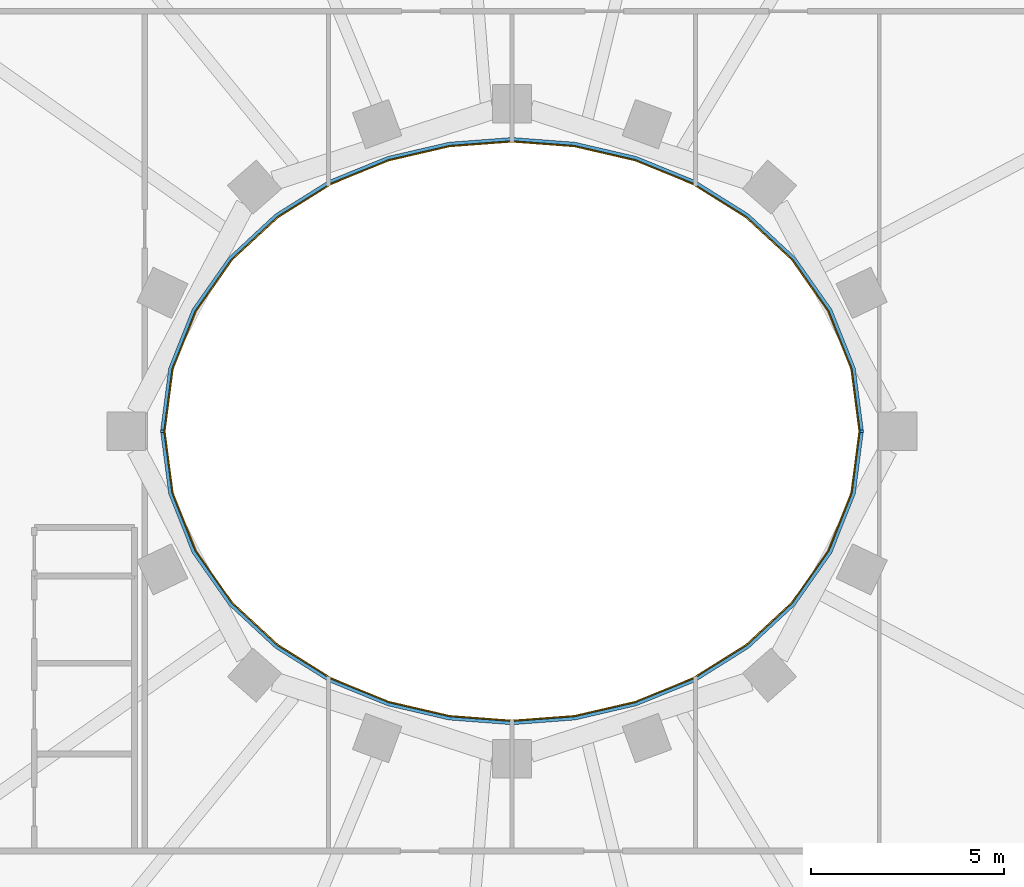
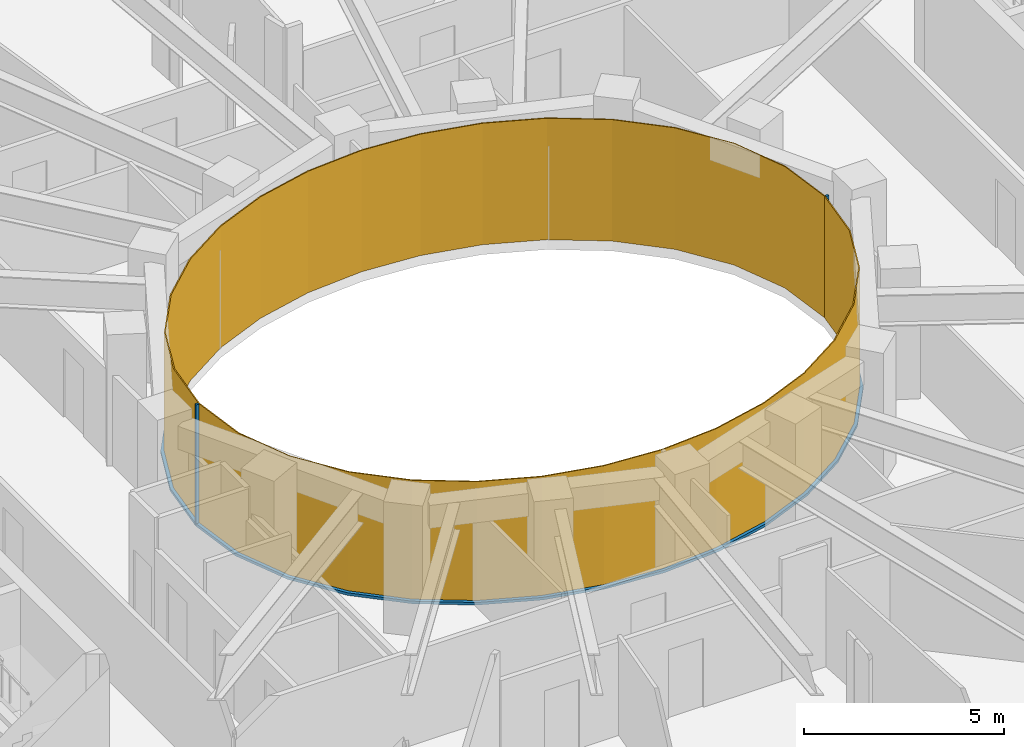
# One storey, part 10 of 15: 4 members, 2 curtain walls.
"""IFC4 building model written with IfcOpenShell, lengths in metres."""

from ifc_helpers import new_model, si_unit, direction, frame, origin, origin_2d, place, context, subcontext, project, spatial, polyline, rectangle, outline, extrude, material, layer, layer_set, material_profile, profile_set, type_object, element, aggregate, save


model = new_model("IFC4")

# Units and contexts
model_context = context("Model", 3, precision=1e-05, world=origin(), true_north=direction((0.0, 1.0)))
body_context = subcontext(model_context, "Body", "Model", "MODEL_VIEW")
ifc_project = project(units=[si_unit("LENGTHUNIT", "METRE"), si_unit("AREAUNIT", "SQUARE_METRE"), si_unit("VOLUMEUNIT", "CUBIC_METRE"), si_unit("PLANEANGLEUNIT", "RADIAN"), si_unit("MASSUNIT", "GRAM", prefix="KILO")], contexts=[model_context])

# Member
ifc_material_1 = material(Name="Steel S355 fire-resisting frame", Category="steel")
ifc_material_profile = material_profile(ifc_material_1, rectangle(XDim=0.090087890625, YDim=0.06005859375, at=origin_2d()), Name="90x60")
ifc_profile_set = profile_set([ifc_material_profile], Name="Steel S355 fire-resisting frame")
member_type_1 = type_object("IfcMemberType", Name="ENV-MULLION-W-90", PredefinedType="MULLION", material=ifc_profile_set)
site_placement = place(None, origin())
building_placement = place(site_placement, origin())
storey_placement = place(building_placement, frame((0.0, 0.0, 241.5)))
member_1_placement = place(storey_placement, frame((9.076904296875, 0.0, 0.0), z_axis=(0.0, 0.0, 1.0), x_axis=(1.0, 0.0, 0.0)))
member_1 = element("IfcMember", 1, at=member_1_placement, type_object=member_type_1, Name="Mullion W well vertex 01", PredefinedType="MULLION", context=body_context, shape_type="SweptSolid", body=[
    extrude(rectangle(XDim=0.090087890625, YDim=0.06005859375, at=origin_2d()), origin(), (0.0, 0.0, 1.0), 3.699951171875),
])

member_2_placement = place(storey_placement, frame((-9.076904296875, 0.0, 0.0), z_axis=(0.0, 0.0, 1.0), x_axis=(-1.0, 0.0, 0.0)))
member_2 = element("IfcMember", 2, at=member_2_placement, type_object=member_type_1, Name="Mullion W well vertex 17", PredefinedType="MULLION", context=body_context, shape_type="SweptSolid", body=[
    extrude(rectangle(XDim=0.090087890625, YDim=0.06005859375, at=origin_2d()), origin(), (0.0, 0.0, 1.0), 3.699951171875),
])

ifc_material_2 = material(Name="Steel S355 fire-resisting frame", Category="steel")
member_type_2 = type_object("IfcMemberType", Name="ENV-TRANSOM-W", PredefinedType="USERDEFINED", material=ifc_material_2)
member_3_placement = place(storey_placement, origin())
member_3 = element("IfcMember", 3, at=member_3_placement, type_object=member_type_2, Name="Transom W well 01-17", ObjectType="TRANSOM", PredefinedType="USERDEFINED", context=body_context, shape_type="SweptSolid", body=[
    extrude(outline(polyline([(9.119384765625, 0.02783203125), (8.910400390625, 1.63623046875), (8.29833984375, 3.167236328125), (7.35107421875, 4.5146484375), (6.1455078125, 5.6337890625), (4.75341796875, 6.50634765625), (3.233642578125, 7.127685546875), (1.635498046875, 7.498779296875), (0.0, 7.622314453125), (-1.635498046875, 7.498779296875), (-3.233642578125, 7.127685546875), (-4.75341796875, 6.50634765625), (-6.1455078125, 5.6337890625), (-7.35107421875, 4.5146484375), (-8.29833984375, 3.167236328125), (-8.910400390625, 1.63623046875), (-9.119384765625, 0.02783203125), (-9.02880859375, 0.02783203125), (-8.822509765625, 1.61328125), (-8.21875, 3.124267578125), (-7.282958984375, 4.455078125), (-6.090576171875, 5.56201171875), (-4.712158203125, 6.426025390625), (-3.206298828125, 7.04150390625), (-1.621826171875, 7.40966796875), (0.0, 7.531982421875), (1.621826171875, 7.40966796875), (3.206298828125, 7.04150390625), (4.712158203125, 6.426025390625), (6.090576171875, 5.56201171875), (7.282958984375, 4.455078125), (8.21875, 3.124267578125), (8.822509765625, 1.61328125), (9.02880859375, 0.02783203125), (9.119384765625, 0.02783203125)])), origin(), (0.0, 0.0, 1.0), 0.080078125),
])

member_4_placement = place(storey_placement, origin())
member_4 = element("IfcMember", 4, at=member_4_placement, type_object=member_type_2, Name="Transom W well 17-01", ObjectType="TRANSOM", PredefinedType="USERDEFINED", context=body_context, shape_type="SweptSolid", body=[
    extrude(outline(polyline([(-9.119384765625, -0.02783203125), (-8.910400390625, -1.63623046875), (-8.29833984375, -3.167236328125), (-7.35107421875, -4.5146484375), (-6.1455078125, -5.6337890625), (-4.75341796875, -6.50634765625), (-3.233642578125, -7.127685546875), (-1.635498046875, -7.498779296875), (0.0, -7.622314453125), (1.635498046875, -7.498779296875), (3.233642578125, -7.127685546875), (4.75341796875, -6.50634765625), (6.1455078125, -5.6337890625), (7.35107421875, -4.5146484375), (8.29833984375, -3.167236328125), (8.910400390625, -1.63623046875), (9.119384765625, -0.02783203125), (9.02880859375, -0.02783203125), (8.822509765625, -1.61328125), (8.21875, -3.124267578125), (7.282958984375, -4.455078125), (6.090576171875, -5.56201171875), (4.712158203125, -6.426025390625), (3.206298828125, -7.04150390625), (1.621826171875, -7.40966796875), (0.0, -7.531982421875), (-1.621826171875, -7.40966796875), (-3.206298828125, -7.04150390625), (-4.712158203125, -6.426025390625), (-6.090576171875, -5.56201171875), (-7.282958984375, -4.455078125), (-8.21875, -3.124267578125), (-8.822509765625, -1.61328125), (-9.02880859375, -0.02783203125), (-9.119384765625, -0.02783203125)])), origin(), (0.0, 0.0, 1.0), 0.080078125),
])

# Site, building, storey
site = spatial("IfcSite", under=ifc_project, at=site_placement, CompositionType="ELEMENT")
building = spatial("IfcBuilding", under=site, at=building_placement, Name="Noorbagh Ring Tower", CompositionType="ELEMENT")
storey = spatial("IfcBuildingStorey", under=building, at=storey_placement, Name="L50", CompositionType="ELEMENT", Elevation=241.5)

# Curtain wall
ifc_material_3 = material(Name="Glass fire-resisting E60 laminated", Category="glass")
ifc_layer = layer(ifc_material_3, 0.031982421875)
ifc_layer_set = layer_set([ifc_layer], Name="Glass fire-resisting E60 laminated")
curtain_wall_type = type_object("IfcCurtainWallType", Name="ENV-CW-W", PredefinedType="NOTDEFINED", material=ifc_layer_set)
curtain_wall_1_placement = place(storey_placement, origin())
curtain_wall_1 = element("IfcCurtainWall", 5, at=curtain_wall_1_placement, inside=storey, type_object=curtain_wall_type, Name="Curtain wall W W01", PredefinedType="NOTDEFINED", context=body_context, shape_type="SweptSolid", body=[
    extrude(outline(polyline([(9.0322265625, 0.0), (8.822509765625, 1.61328125), (8.21875, 3.124267578125), (7.282958984375, 4.455078125), (6.090576171875, 5.56201171875), (4.712158203125, 6.426025390625), (3.206298828125, 7.04150390625), (1.621826171875, 7.40966796875), (0.0, 7.531982421875), (-1.621826171875, 7.40966796875), (-3.206298828125, 7.04150390625), (-4.712158203125, 6.426025390625), (-6.090576171875, 5.56201171875), (-7.282958984375, 4.455078125), (-8.21875, 3.124267578125), (-8.822509765625, 1.61328125), (-9.0322265625, 0.0), (-9.0, 0.0), (-8.79150390625, 1.605224609375), (-8.1904296875, 3.10888671875), (-7.2587890625, 4.43408203125), (-6.071044921875, 5.53662109375), (-4.697509765625, 6.3974609375), (-3.196533203125, 7.010986328125), (-1.6171875, 7.3779296875), (0.0, 7.5), (1.6171875, 7.3779296875), (3.196533203125, 7.010986328125), (4.697509765625, 6.3974609375), (6.071044921875, 5.53662109375), (7.2587890625, 4.43408203125), (8.1904296875, 3.10888671875), (8.79150390625, 1.605224609375), (9.0, 0.0), (9.0322265625, 0.0)])), origin(), (0.0, 0.0, 1.0), 3.699951171875),
])

aggregate(curtain_wall_1, [member_1, member_2, member_3])

curtain_wall_2_placement = place(storey_placement, origin())
curtain_wall_2 = element("IfcCurtainWall", 6, at=curtain_wall_2_placement, inside=storey, type_object=curtain_wall_type, Name="Curtain wall W W17", PredefinedType="NOTDEFINED", context=body_context, shape_type="SweptSolid", body=[
    extrude(outline(polyline([(-9.0322265625, 0.0), (-8.822509765625, -1.61328125), (-8.21875, -3.124267578125), (-7.282958984375, -4.455078125), (-6.090576171875, -5.56201171875), (-4.712158203125, -6.426025390625), (-3.206298828125, -7.04150390625), (-1.621826171875, -7.40966796875), (0.0, -7.531982421875), (1.621826171875, -7.40966796875), (3.206298828125, -7.04150390625), (4.712158203125, -6.426025390625), (6.090576171875, -5.56201171875), (7.282958984375, -4.455078125), (8.21875, -3.124267578125), (8.822509765625, -1.61328125), (9.0322265625, 0.0), (9.0, 0.0), (8.79150390625, -1.605224609375), (8.1904296875, -3.10888671875), (7.2587890625, -4.43408203125), (6.071044921875, -5.53662109375), (4.697509765625, -6.3974609375), (3.196533203125, -7.010986328125), (1.6171875, -7.3779296875), (0.0, -7.5), (-1.6171875, -7.3779296875), (-3.196533203125, -7.010986328125), (-4.697509765625, -6.3974609375), (-6.071044921875, -5.53662109375), (-7.2587890625, -4.43408203125), (-8.1904296875, -3.10888671875), (-8.79150390625, -1.605224609375), (-9.0, 0.0), (-9.0322265625, 0.0)])), origin(), (0.0, 0.0, 1.0), 3.699951171875),
])

aggregate(curtain_wall_2, [member_4])

save(model, "model.ifc")
